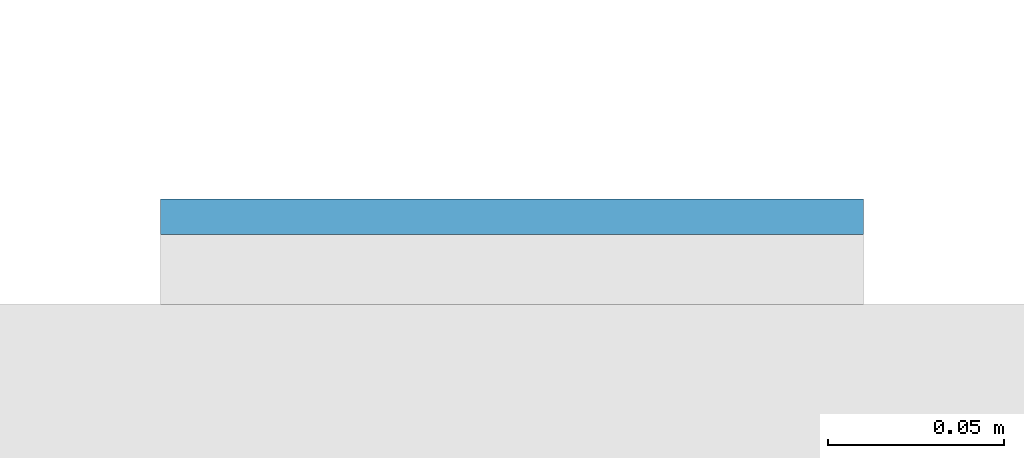
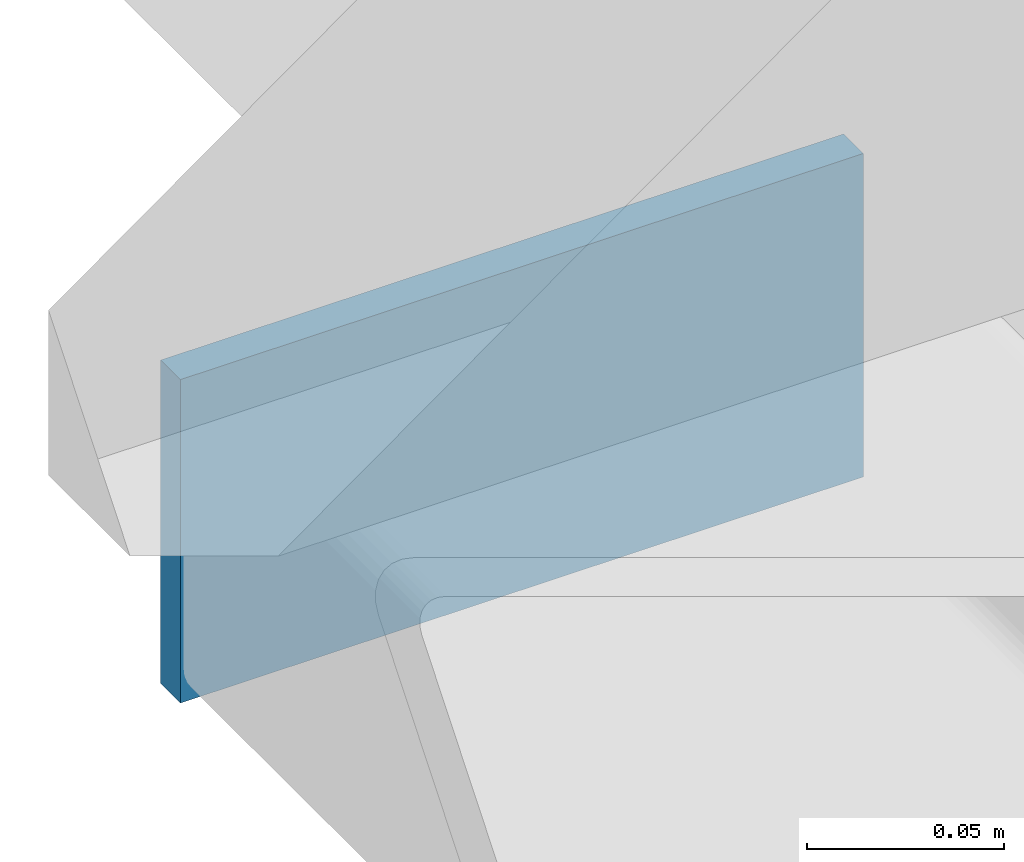
# One storey, part 9 of 20: 1 plate.
"""IFC4 building model written with IfcOpenShell, lengths in metres."""

import ifcopenshell
import ifcopenshell.guid

model = None  # the IFC model being written
_history = None  # IfcOwnerHistory: only IFC2X3 demands one
_inside = {}  # id of a spatial element -> (the spatial element, [elements in it])
_under = {}  # id of a project, library or spatial element -> (it, [spatial elements below it])
_declared = {}  # id of a project -> (the project, [libraries it declares])
_typed = {}  # id of a type object -> (the type object, [elements of that type])
_made_of = {}  # id of a material, layer set ... -> (it, [elements and type objects made of it])


def new_model(schema):
    """Start an empty IFC model of exactly this schema.

    Asked for "IFC4X3", IfcOpenShell would pick the latest addendum, in which some entities
    have other attributes; the version numbers below select the first issue.
    IFC2X3 requires an IfcOwnerHistory on every rooted entity: one is made here for all.
    """
    global model, _history
    if schema == "IFC4X3":
        model = ifcopenshell.file(schema_version=(4, 3, 0, 0))
    else:
        model = ifcopenshell.file(schema=schema)
    _inside.clear()
    _under.clear()
    _declared.clear()
    _typed.clear()
    _made_of.clear()
    _history = None
    if model.schema == "IFC2X3":
        org = make("IfcOrganization", Name="unknown")
        user = make(
            "IfcPersonAndOrganization",
            ThePerson=make("IfcPerson", FamilyName="unknown"),
            TheOrganization=org,
        )
        app = make(
            "IfcApplication",
            ApplicationDeveloper=org,
            Version="unknown",
            ApplicationFullName="unknown",
            ApplicationIdentifier="unknown",
        )
        _history = make(
            "IfcOwnerHistory",
            OwningUser=user,
            OwningApplication=app,
            ChangeAction="ADDED",
            CreationDate=0,
        )
    return model


def make(cls, **values):
    """One entity of the class cls with the attributes given. An attribute that is None is left unset."""
    return model.create_entity(
        cls, **{name: value for name, value in values.items() if value is not None}
    )


def rooted(cls, **values):
    """An entity with a GlobalId (a new one), such as an element, a storey or a relation."""
    return make(cls, GlobalId=ifcopenshell.guid.new(), OwnerHistory=_history, **values)


def si_unit(unit_type, name, prefix=None):
    """IfcSIUnit, for example si_unit("LENGTHUNIT", "METRE", prefix="MILLI")."""
    return make("IfcSIUnit", UnitType=unit_type, Prefix=prefix, Name=name)


def assignment(units):
    """IfcUnitAssignment: the units of a project."""
    return None if units is None else make("IfcUnitAssignment", Units=units)


def point(xyz):
    """IfcCartesianPoint."""
    return None if xyz is None else make("IfcCartesianPoint", Coordinates=xyz)


def direction(xyz):
    """IfcDirection."""
    return None if xyz is None else make("IfcDirection", DirectionRatios=xyz)


def frame(location, z_axis=None, x_axis=None):
    """IfcAxis2Placement3D, a coordinate frame: its origin and axes. An axis left out is left unset."""
    return make(
        "IfcAxis2Placement3D",
        Location=point(location),
        Axis=direction(z_axis),
        RefDirection=direction(x_axis),
    )


def frame_2d(location, x_axis=None):
    """IfcAxis2Placement2D, a coordinate frame in the plane: its origin and x axis."""
    return make(
        "IfcAxis2Placement2D", Location=point(location), RefDirection=direction(x_axis)
    )


def origin():
    """The frame at (0, 0, 0) with its axes left unset."""
    return frame((0.0, 0.0, 0.0))


def origin_2d():
    """The frame at (0, 0) in the plane with its x axis left unset."""
    return frame_2d((0.0, 0.0))


def place(relative_to, where):
    """IfcLocalPlacement: puts the frame where relative to a parent placement (None: the world)."""
    return make(
        "IfcLocalPlacement", PlacementRelTo=relative_to, RelativePlacement=where
    )


def context(
    kind, dimensions, precision=None, world=None, true_north=None, identifier=None
):
    """IfcGeometricRepresentationContext, for example the 3D "Model" context."""
    return make(
        "IfcGeometricRepresentationContext",
        ContextIdentifier=identifier,
        ContextType=kind,
        CoordinateSpaceDimension=dimensions,
        Precision=precision,
        WorldCoordinateSystem=world,
        TrueNorth=true_north,
    )


def subcontext(parent, identifier, kind, view, scale=None):
    """IfcGeometricRepresentationSubContext, for example "Body" below "Model"."""
    return make(
        "IfcGeometricRepresentationSubContext",
        ContextIdentifier=identifier,
        ContextType=kind,
        ParentContext=parent,
        TargetScale=scale,
        TargetView=view,
    )


def project(units=None, contexts=None):
    """IfcProject with its units and contexts."""
    return rooted(
        "IfcProject",
        Name="project",
        RepresentationContexts=contexts,
        UnitsInContext=assignment(units),
    )


def spatial(cls, under=None, at=None, **own):
    """A site, building, storey or space (cls), placed at a placement, below another one or the project."""
    s = rooted(cls, ObjectPlacement=at, **own)
    if under is not None:
        _under.setdefault(under.id(), (under, []))[1].append(s)
    return s


def profile(cls, at=None, kind="AREA", **sizes):
    """A parametric profile (cls). Its sizes go by their IFC names, for example OverallWidth=200.0."""
    return make(cls, ProfileType=kind, Position=at, **sizes)


def rectangle(**sizes):
    """IfcRectangleProfileDef."""
    return profile("IfcRectangleProfileDef", **sizes)


def extrude(swept, where, along, depth):
    """IfcExtrudedAreaSolid: the profile swept, set in the frame where, extruded along a direction by depth."""
    return make(
        "IfcExtrudedAreaSolid",
        SweptArea=swept,
        Position=where,
        ExtrudedDirection=direction(along),
        Depth=depth,
    )


def shape(context_of_items, identifier, shape_type, items):
    """IfcShapeRepresentation: the items that make up one representation, for example the "Body"."""
    return make(
        "IfcShapeRepresentation",
        ContextOfItems=context_of_items,
        RepresentationIdentifier=identifier,
        RepresentationType=shape_type,
        Items=items,
    )


def material(Name=None, Category=None):
    """IfcMaterial."""
    return make("IfcMaterial", Name=Name, Category=Category)


def layer(
    of_material, thickness, ventilated=None, Name=None, Category=None, Priority=None
):
    """IfcMaterialLayer: one layer of a wall or slab, of a material (None: an air gap)."""
    return make(
        "IfcMaterialLayer",
        Material=of_material,
        LayerThickness=thickness,
        IsVentilated=ventilated,
        Name=Name,
        Category=Category,
        Priority=Priority,
    )


def layer_set(layers, Name=None):
    """IfcMaterialLayerSet."""
    return make("IfcMaterialLayerSet", MaterialLayers=layers, LayerSetName=Name)


def made_of(thing, what):
    """Note that an element or type object is made of a material, layer set ...; save() writes the relation."""
    if what is not None:
        _made_of.setdefault(what.id(), (what, []))[1].append(thing)
    return thing


def type_object(cls, material=None, **own):
    """A type object (cls), such as IfcWallType, which elements share."""
    return made_of(rooted(cls, **own), material)


def element(
    cls,
    number,
    at=None,
    inside=None,
    cuts=None,
    type_object=None,
    material=None,
    context=None,
    identifier="Body",
    shape_type=None,
    held_by="IfcProductDefinitionShape",
    body=None,
    shapes=None,
    **own,
):
    """One element of the class cls, such as IfcWall. Its Tag is "e" and its number.

    at: its placement. inside: the storey or other place that contains it. cuts: it is an
    opening in that element (IfcRelVoidsElement). A single representation is given by context,
    identifier, shape_type and body (its items); several are given by shapes. held_by: the class
    of the entity that holds the representations. save() writes the other relations.
    """
    e = rooted(cls, Tag="e%d" % number, ObjectPlacement=at, **own)
    if body is not None:
        shapes = [shape(context, identifier, shape_type, body)]
    if shapes is not None:
        e.Representation = make(held_by, Representations=shapes)
    if inside is not None:
        _inside.setdefault(inside.id(), (inside, []))[1].append(e)
    if cuts is not None:
        rooted(
            "IfcRelVoidsElement", RelatingBuildingElement=cuts, RelatedOpeningElement=e
        )
    if type_object is not None:
        _typed.setdefault(type_object.id(), (type_object, []))[1].append(e)
    return made_of(e, material)


def aggregate(whole, parts):
    """IfcRelAggregates: a whole, such as a stair, and the parts it consists of."""
    return rooted("IfcRelAggregates", RelatingObject=whole, RelatedObjects=parts)


def save(model, path):
    """Write the relations noted so far, then the file.

    IfcRelAggregates (storeys below a building ...), IfcRelContainedInSpatialStructure (elements
    in a storey), IfcRelDefinesByType, IfcRelAssociatesMaterial and IfcRelDeclares: one each for
    every whole, place, type object, material and project.
    """
    for whole, parts in _under.values():
        aggregate(whole, parts)
    for where, things in _inside.values():
        rooted(
            "IfcRelContainedInSpatialStructure",
            RelatedElements=things,
            RelatingStructure=where,
        )
    for kind, things in _typed.values():
        rooted("IfcRelDefinesByType", RelatedObjects=things, RelatingType=kind)
    for what, things in _made_of.values():
        rooted("IfcRelAssociatesMaterial", RelatedObjects=things, RelatingMaterial=what)
    for by, libraries in _declared.values():
        rooted("IfcRelDeclares", RelatingContext=by, RelatedDefinitions=libraries)
    model.write(path)


model = new_model("IFC4")

# Units and contexts
model_context = context("Model", 3, precision=1e-05, world=origin(), true_north=direction((0.0, 1.0)))
body_context = subcontext(model_context, "Body", "Model", "MODEL_VIEW")
ifc_project = project(units=[si_unit("LENGTHUNIT", "METRE"), si_unit("AREAUNIT", "SQUARE_METRE"), si_unit("VOLUMEUNIT", "CUBIC_METRE"), si_unit("PLANEANGLEUNIT", "RADIAN"), si_unit("MASSUNIT", "GRAM", prefix="KILO")], contexts=[model_context])

# Site, building, storey
site_placement = place(None, origin())
site = spatial("IfcSite", under=ifc_project, at=site_placement, CompositionType="ELEMENT")
building_placement = place(site_placement, origin())
building = spatial("IfcBuilding", under=site, at=building_placement, Name="Cleftline Residences", CompositionType="ELEMENT")
storey_placement = place(building_placement, frame((0.0, 0.0, 99.800048828125)))
storey = spatial("IfcBuildingStorey", under=building, at=storey_placement, Name="L25", CompositionType="ELEMENT", Elevation=99.800048828125)

# Plate
ifc_material = material(Name="Steel S355, hot-dip galvanised", Category="steel")
ifc_layer = layer(ifc_material, 0.010009765625)
ifc_layer_set = layer_set([ifc_layer], Name="BAGUETTE CARRIER END PLATE 200X100X10")
plate_type = type_object("IfcPlateType", Name="BAGUETTE CARRIER END PLATE 200X100X10", PredefinedType="USERDEFINED", material=ifc_layer_set)
plate_placement = place(storey_placement, frame((-0.85009765625, 44.304931640625, -0.10009765625), z_axis=(0.0, 0.0, 1.0), x_axis=(-1.0, 0.0, 0.0)))
element("IfcPlate", 1, at=plate_placement, inside=storey, type_object=plate_type, Name="Baguette carrier end plate", ObjectType="BAGUETTE CARRIER END PLATE", PredefinedType="USERDEFINED", context=body_context, shape_type="SweptSolid", body=[
    extrude(rectangle(XDim=0.199951171875, YDim=0.010009765625, at=origin_2d()), origin(), (0.0, 0.0, 1.0), 0.10009765625),
])

save(model, "model.ifc")
